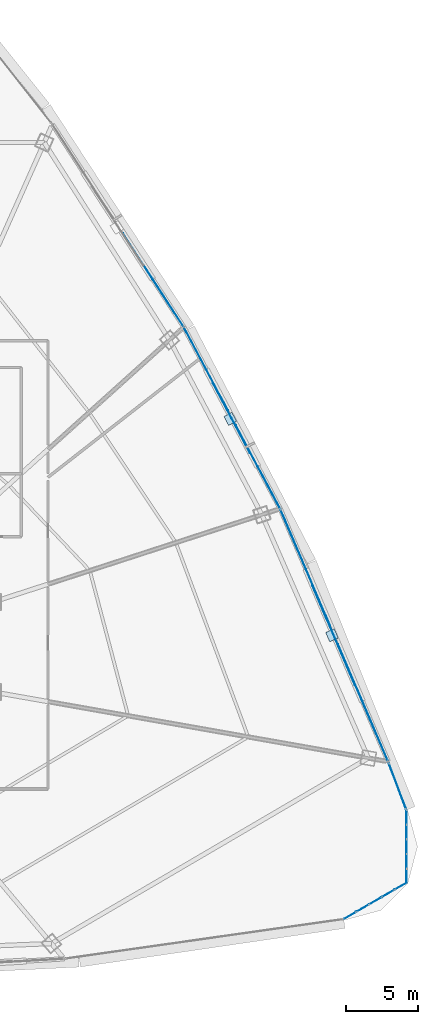
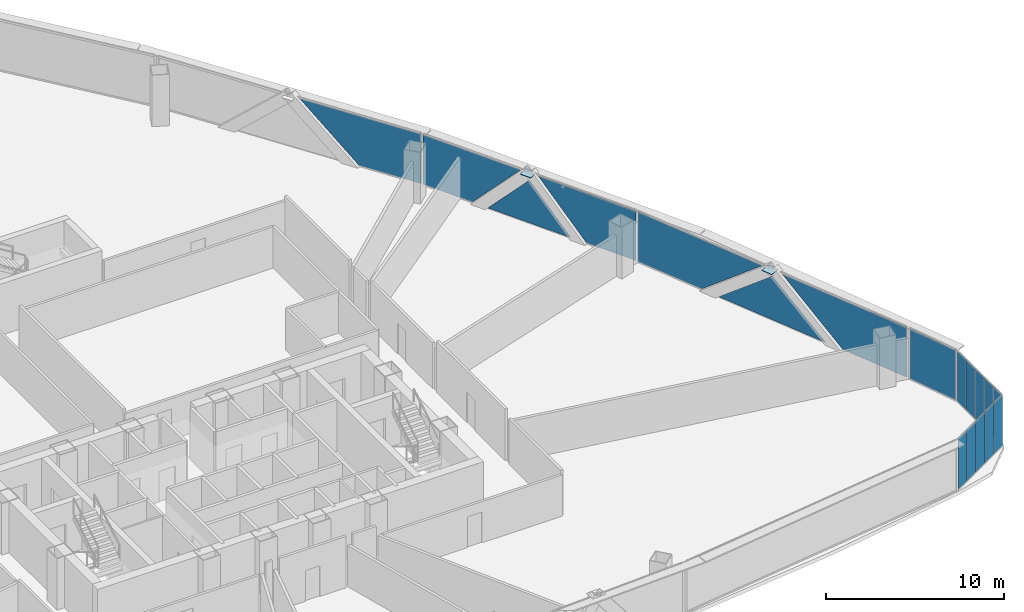
# One storey, part 32 of 41: 20 plates, 6 elements without a shape of their own.
"""IFC4 building model written with IfcOpenShell, lengths in metres."""

from ifc_helpers import new_model, si_unit, direction, frame, origin, origin_2d, place, context, subcontext, project, spatial, polyline, rectangle, outline, extrude, source, transform, mapped, material, layer, layer_set, type_object, element, aggregate, save


model = new_model("IFC4")

# Units and contexts
model_context = context("Model", 3, precision=1e-05, world=origin(), true_north=direction((0.0, 1.0)))
body_context = subcontext(model_context, "Body", "Model", "MODEL_VIEW")
ifc_project = project(units=[si_unit("LENGTHUNIT", "METRE"), si_unit("AREAUNIT", "SQUARE_METRE"), si_unit("VOLUMEUNIT", "CUBIC_METRE"), si_unit("PLANEANGLEUNIT", "RADIAN"), si_unit("MASSUNIT", "GRAM", prefix="KILO"), si_unit("THERMODYNAMICTEMPERATUREUNIT", "KELVIN"), si_unit("POWERUNIT", "WATT")], contexts=[model_context])

# Site, building, storey
site_placement = place(None, origin())
site = spatial("IfcSite", under=ifc_project, at=site_placement, CompositionType="ELEMENT")
building_placement = place(site_placement, origin())
building = spatial("IfcBuilding", under=site, at=building_placement, Name="Yunzhuo Pagoda Commons", CompositionType="ELEMENT")
storey_placement = place(building_placement, frame((0.0, 0.0, 115.3798828125)))
storey = spatial("IfcBuildingStorey", under=building, at=storey_placement, Name="L29", CompositionType="ELEMENT", Elevation=115.3798828125)

# Curtain wall, plates
ifc_material_1 = material(Name="Anodized aluminium 6063-T6", Category="aluminium")
ifc_layer_1 = layer(ifc_material_1, 0.1650390625)
ifc_layer_set_1 = layer_set([ifc_layer_1], Name="Anodized aluminium 6063-T6")
curtain_wall_type_1 = type_object("IfcCurtainWallType", Name="CW-LOW Low-Zone Ribbon Curtain Wall", PredefinedType="NOTDEFINED", material=ifc_layer_set_1)
curtain_wall_1_placement = place(storey_placement, origin())
curtain_wall_1 = element("IfcCurtainWall", 1, at=curtain_wall_1_placement, inside=storey, type_object=curtain_wall_type_1, Name="L29 curtain wall CW-L29-F2B2", PredefinedType="NOTDEFINED")
ifc_material_2 = material(Name="Tempered low-e double glazing", Category="glass")
ifc_layer_2 = layer(ifc_material_2, 0.028076171875)
ifc_layer_set_2 = layer_set([ifc_layer_2], Name="Tempered low-e double glazing")
plate_type_1 = type_object("IfcPlateType", Name="CW-LOW-P Low-E Double Glazing 28", PredefinedType="CURTAIN_PANEL", material=ifc_layer_set_2)
plate_1_placement = place(storey_placement, frame((85.9677734375, 30.775634765625, 1.760009765625), z_axis=(0.919648900825, 0.392741517046, 0.0), x_axis=(-0.392741517046, 0.919648900825, 0.0)))
plate_1 = element("IfcPlate", 2, at=plate_1_placement, type_object=plate_type_1, Name="CW panel 1.1 lite 1", PredefinedType="CURTAIN_PANEL", context=body_context, shape_type="SweptSolid", body=[
    extrude(outline(polyline([(-4.3779296875, -1.699951171875), (0.102294921875, -1.699951171875), (4.3779296875, 1.699951171875), (-4.3779296875, 1.699951171875), (-4.3779296875, -1.699951171875)])), origin(), (0.0, 0.0, 1.0), 0.028076171875),
])
plate_2_placement = place(storey_placement, frame((83.951416015625, 35.4208984375, 1.54736328125), z_axis=(0.919648900825, 0.392741517046, 0.0), x_axis=(-0.392741517046, 0.919648900825, 0.0)))
plate_2 = element("IfcPlate", 3, at=plate_2_placement, type_object=plate_type_1, Name="CW panel 1.1 lite 2", PredefinedType="CURTAIN_PANEL", context=body_context, shape_type="SweptSolid", body=[
    extrude(outline(polyline([(-3.740478515625, -1.4873046875), (3.740478515625, -1.4873046875), (0.0, 1.4873046875), (-3.740478515625, -1.4873046875)])), origin(), (0.0, 0.0, 1.0), 0.028076171875),
])
plate_3_placement = place(storey_placement, frame((81.990234375, 40.08984375, 1.760009765625), z_axis=(0.919648900825, 0.392741517046, 0.0), x_axis=(-0.392741517046, 0.919648900825, 0.0)))
plate_3 = element("IfcPlate", 4, at=plate_3_placement, type_object=plate_type_1, Name="CW panel 1.1 lite 3", PredefinedType="CURTAIN_PANEL", context=body_context, shape_type="SweptSolid", body=[
    extrude(outline(polyline([(-4.3779296875, 1.699951171875), (-0.102294921875, -1.699951171875), (4.3779296875, -1.699951171875), (4.3779296875, 1.699951171875), (-4.3779296875, 1.699951171875)])), origin(), (0.0, 0.0, 1.0), 0.028076171875),
])
aggregate(curtain_wall_1, [plate_1, plate_2, plate_3])

curtain_wall_2_placement = place(storey_placement, origin())
curtain_wall_2 = element("IfcCurtainWall", 5, at=curtain_wall_2_placement, inside=storey, type_object=curtain_wall_type_1, Name="L29 curtain wall CW-L29-F2B3", PredefinedType="NOTDEFINED")
plate_4_placement = place(storey_placement, frame((78.699462890625, 47.088623046875, 1.760009765625), z_axis=(0.88333303698, 0.468745928813, 0.0), x_axis=(-0.468745928813, 0.88333303698, 0.0)))
plate_4 = element("IfcPlate", 6, at=plate_4_placement, type_object=plate_type_1, Name="CW panel 1.1 lite 1", PredefinedType="CURTAIN_PANEL", context=body_context, shape_type="SweptSolid", body=[
    extrude(outline(polyline([(-3.23388671875, -1.699951171875), (0.035888671875, -1.699951171875), (3.23388671875, 1.699951171875), (-3.23388671875, 1.699951171875), (-3.23388671875, -1.699951171875)])), origin(), (0.0, 0.0, 1.0), 0.028076171875),
])
plate_5_placement = place(storey_placement, frame((76.88623046875, 50.441650390625, 1.5126953125), z_axis=(0.88333303698, 0.468745928813, 0.0), x_axis=(-0.468745928813, 0.88333303698, 0.0)))
plate_5 = element("IfcPlate", 7, at=plate_5_placement, type_object=plate_type_1, Name="CW panel 1.1 lite 2", PredefinedType="CURTAIN_PANEL", context=body_context, shape_type="SweptSolid", body=[
    extrude(outline(polyline([(-2.732666015625, -1.45263671875), (2.732666015625, -1.45263671875), (0.0, 1.45263671875), (-2.732666015625, -1.45263671875)])), origin(), (0.0, 0.0, 1.0), 0.028076171875),
])
plate_6_placement = place(storey_placement, frame((75.1259765625, 53.82275390625, 1.760009765625), z_axis=(0.88333303698, 0.468745928813, 0.0), x_axis=(-0.468745928813, 0.88333303698, 0.0)))
plate_6 = element("IfcPlate", 8, at=plate_6_placement, type_object=plate_type_1, Name="CW panel 1.1 lite 3", PredefinedType="CURTAIN_PANEL", context=body_context, shape_type="SweptSolid", body=[
    extrude(outline(polyline([(-3.23388671875, 1.699951171875), (-0.035888671875, -1.699951171875), (3.23388671875, -1.699951171875), (3.23388671875, 1.699951171875), (-3.23388671875, 1.699951171875)])), origin(), (0.0, 0.0, 1.0), 0.028076171875),
])
aggregate(curtain_wall_2, [plate_4, plate_5, plate_6])

# Curtain wall, plate
curtain_wall_3_placement = place(storey_placement, origin())
curtain_wall_3 = element("IfcCurtainWall", 9, at=curtain_wall_3_placement, inside=storey, type_object=curtain_wall_type_1, Name="L29 curtain wall CW-L29-F2B4", PredefinedType="NOTDEFINED")
plate_7_placement = place(storey_placement, frame((71.46240234375, 60.0029296875, 1.760009765625), z_axis=(0.839105842503, 0.543968183884, 0.0), x_axis=(-0.543968183884, 0.839105842503, 0.0)))
plate_7 = element("IfcPlate", 10, at=plate_7_placement, type_object=plate_type_1, Name="CW panel 1.1 lite 1", PredefinedType="CURTAIN_PANEL", context=body_context, shape_type="SweptSolid", body=[
    extrude(outline(polyline([(-3.82861328125, -1.699951171875), (0.0712890625, -1.699951171875), (3.82861328125, 1.699951171875), (-3.82861328125, 1.699951171875), (-3.82861328125, -1.699951171875)])), origin(), (0.0, 0.0, 1.0), 0.028076171875),
])
aggregate(curtain_wall_3, [plate_7])

# Plates
ifc_material_3 = material(Name="Structural steel Q355B", Category="steel")
ifc_layer_3 = layer(ifc_material_3, 0.028076171875)
ifc_layer_set_3 = layer_set([ifc_layer_3], Name="Structural steel Q355B")
plate_type_2 = type_object("IfcPlateType", Name="SP-ND1 Lattice Node Cap Plate 800x500x28", PredefinedType="USERDEFINED", material=ifc_layer_set_3)
shared_shape_1 = source(origin(), body_context, "Body", "SweptSolid", [
    extrude(rectangle(XDim=0.699951171875, YDim=0.654296875, at=origin_2d()), origin(), (0.0, 0.0, 1.0), 0.035888671875),
])
plate_8_placement = place(storey_placement, frame((83.840087890625, 35.431396484375, 3.48193359375), z_axis=(0.0, 0.0, 1.0), x_axis=(-0.392738427085, 0.919650220405, 0.0)))
element("IfcPlate", 11, at=plate_8_placement, inside=storey, type_object=plate_type_2, Name="L29 setback lattice tie plate F2.1L", ObjectType="STIFFENER_PLATE", PredefinedType="USERDEFINED", context=body_context, shape_type="MappedRepresentation", body=[
    mapped(shared_shape_1, transform((0.0, 0.0, 0.0), scale=1.0)),
])
shared_shape_2 = source(origin(), body_context, "Body", "SweptSolid", [
    extrude(rectangle(XDim=0.699951171875, YDim=0.6259765625, at=origin_2d()), origin(), (0.0, 0.0, 1.0), 0.035888671875),
])
plate_9_placement = place(storey_placement, frame((76.8056640625, 50.393310546875, 3.48193359375), z_axis=(0.0, 0.0, 1.0), x_axis=(-0.46874711881, 0.8833324055, 0.0)))
element("IfcPlate", 12, at=plate_9_placement, inside=storey, type_object=plate_type_2, Name="L29 setback lattice tie plate F2.2L", ObjectType="STIFFENER_PLATE", PredefinedType="USERDEFINED", context=body_context, shape_type="MappedRepresentation", body=[
    mapped(shared_shape_2, transform((0.0, 0.0, 0.0), scale=1.0)),
])

# Curtain wall, plate
curtain_wall_4_placement = place(storey_placement, origin())
curtain_wall_4 = element("IfcCurtainWall", 13, at=curtain_wall_4_placement, inside=storey, type_object=curtain_wall_type_1, Name="L29 curtain wall CW-L29-F2B1", PredefinedType="NOTDEFINED")
shared_shape_3 = source(origin(), body_context, "Body", "SweptSolid", [
    extrude(rectangle(XDim=3.3642578125, YDim=0.028076171875, at=origin_2d()), origin(), (0.0, 0.0, 1.0), 3.39990234375),
])
plate_10_placement = place(storey_placement, frame((88.3701171875, 24.99072265625, 0.06005859375), z_axis=(0.0, 0.0, 1.0), x_axis=(-0.353599796011, 0.935396805779, 0.0)))
plate_10 = element("IfcPlate", 14, at=plate_10_placement, type_object=plate_type_1, Name="CW panel 1.1", PredefinedType="CURTAIN_PANEL", context=body_context, shape_type="MappedRepresentation", body=[
    mapped(shared_shape_3, transform((0.0, 0.0, 0.0), scale=1.0)),
])
aggregate(curtain_wall_4, [plate_10])

# Curtain wall, plates
ifc_layer_4 = layer(ifc_material_1, 0.1298828125)
ifc_layer_set_4 = layer_set([ifc_layer_4], Name="Anodized aluminium 6063-T6")
curtain_wall_type_2 = type_object("IfcCurtainWallType", Name="CW-VTX Rounded Corner Curtain Wall", PredefinedType="NOTDEFINED", material=ifc_layer_set_4)
curtain_wall_5_placement = place(storey_placement, origin())
curtain_wall_5 = element("IfcCurtainWall", 15, at=curtain_wall_5_placement, inside=storey, type_object=curtain_wall_type_2, Name="L29 curtain wall CW-L29-VTX2S1", PredefinedType="NOTDEFINED")
ifc_layer_5 = layer(ifc_material_2, 0.02587890625)
ifc_layer_set_5 = layer_set([ifc_layer_5], Name="Tempered low-e double glazing")
plate_type_3 = type_object("IfcPlateType", Name="CW-VTX-P Low-E Double Glazing 26", PredefinedType="CURTAIN_PANEL", material=ifc_layer_set_5)
shared_shape_4 = source(origin(), body_context, "Body", "SweptSolid", [
    extrude(rectangle(XDim=0.934326171875, YDim=0.028076171875, at=origin_2d()), origin(), (0.0, 0.0, 1.0), 3.409912109375),
])
plate_11_placement = place(storey_placement, frame((85.097900390625, 16.05615234375, 0.05517578125), z_axis=(0.0, 0.0, 1.0), x_axis=(0.865428529789, 0.501032393989, 0.0)))
plate_11 = element("IfcPlate", 16, at=plate_11_placement, type_object=plate_type_3, Name="CW panel 1.1", PredefinedType="CURTAIN_PANEL", context=body_context, shape_type="MappedRepresentation", body=[
    mapped(shared_shape_4, transform((0.0, 0.0, 0.0), scale=1.0)),
])
plate_12_placement = place(storey_placement, frame((88.593994140625, 18.080322265625, 0.05517578125), z_axis=(0.0, 0.0, 1.0), x_axis=(0.865428529789, 0.501032393989, 0.0)))
plate_12 = element("IfcPlate", 17, at=plate_12_placement, type_object=plate_type_3, Name="CW panel 5.1", PredefinedType="CURTAIN_PANEL", context=body_context, shape_type="MappedRepresentation", body=[
    mapped(shared_shape_4, transform((0.0, 0.0, 0.0), scale=1.0)),
])

curtain_wall_6_placement = place(storey_placement, origin())
curtain_wall_6 = element("IfcCurtainWall", 18, at=curtain_wall_6_placement, inside=storey, type_object=curtain_wall_type_2, Name="L29 curtain wall CW-L29-VTX2S2", PredefinedType="NOTDEFINED")
plate_13_placement = place(storey_placement, frame((89.004150390625, 18.794677734375, 0.05517578125), z_axis=(0.0, 0.0, 1.0), x_axis=(-0.003599433805, 0.999993522017, 0.0)))
plate_13 = element("IfcPlate", 19, at=plate_13_placement, type_object=plate_type_3, Name="CW panel 1.1", PredefinedType="CURTAIN_PANEL", context=body_context, shape_type="MappedRepresentation", body=[
    mapped(shared_shape_4, transform((0.0, 0.0, 0.0), scale=1.0)),
])
plate_14_placement = place(storey_placement, frame((88.98974609375, 22.834228515625, 0.05517578125), z_axis=(0.0, 0.0, 1.0), x_axis=(-0.003599433805, 0.999993522017, 0.0)))
plate_14 = element("IfcPlate", 20, at=plate_14_placement, type_object=plate_type_3, Name="CW panel 5.1", PredefinedType="CURTAIN_PANEL", context=body_context, shape_type="MappedRepresentation", body=[
    mapped(shared_shape_4, transform((0.0, 0.0, 0.0), scale=1.0)),
])

# Plate
shared_shape_5 = source(origin(), body_context, "Body", "SweptSolid", [
    extrude(rectangle(XDim=0.9619140625, YDim=0.028076171875, at=origin_2d()), origin(), (0.0, 0.0, 1.0), 3.409912109375),
])
plate_15_placement = place(storey_placement, frame((85.9658203125, 16.558837890625, 0.05517578125), z_axis=(0.0, 0.0, 1.0), x_axis=(0.865428529789, 0.501032393989, 0.0)))
plate_15 = element("IfcPlate", 21, at=plate_15_placement, type_object=plate_type_3, Name="CW panel 2.1", PredefinedType="CURTAIN_PANEL", context=body_context, shape_type="MappedRepresentation", body=[
    mapped(shared_shape_5, transform((0.0, 0.0, 0.0), scale=1.0)),
])

plate_16_placement = place(storey_placement, frame((86.845947265625, 17.068115234375, 0.05517578125), z_axis=(0.0, 0.0, 1.0), x_axis=(0.865428529789, 0.501032393989, 0.0)))
plate_16 = element("IfcPlate", 22, at=plate_16_placement, type_object=plate_type_3, Name="CW panel 3.1", PredefinedType="CURTAIN_PANEL", context=body_context, shape_type="MappedRepresentation", body=[
    mapped(shared_shape_5, transform((0.0, 0.0, 0.0), scale=1.0)),
])

plate_17_placement = place(storey_placement, frame((87.72607421875, 17.57763671875, 0.05517578125), z_axis=(0.0, 0.0, 1.0), x_axis=(0.865428529789, 0.501032393989, 0.0)))
plate_17 = element("IfcPlate", 23, at=plate_17_placement, type_object=plate_type_3, Name="CW panel 4.1", PredefinedType="CURTAIN_PANEL", context=body_context, shape_type="MappedRepresentation", body=[
    mapped(shared_shape_5, transform((0.0, 0.0, 0.0), scale=1.0)),
])

aggregate(curtain_wall_5, [plate_11, plate_15, plate_16, plate_17, plate_12])

plate_18_placement = place(storey_placement, frame((89.00048828125, 19.797607421875, 0.05517578125), z_axis=(0.0, 0.0, 1.0), x_axis=(-0.003599433805, 0.999993522017, 0.0)))
plate_18 = element("IfcPlate", 24, at=plate_18_placement, type_object=plate_type_3, Name="CW panel 2.1", PredefinedType="CURTAIN_PANEL", context=body_context, shape_type="MappedRepresentation", body=[
    mapped(shared_shape_5, transform((0.0, 0.0, 0.0), scale=1.0)),
])

plate_19_placement = place(storey_placement, frame((88.9970703125, 20.814453125, 0.05517578125), z_axis=(0.0, 0.0, 1.0), x_axis=(-0.003599433805, 0.999993522017, 0.0)))
plate_19 = element("IfcPlate", 25, at=plate_19_placement, type_object=plate_type_3, Name="CW panel 3.1", PredefinedType="CURTAIN_PANEL", context=body_context, shape_type="MappedRepresentation", body=[
    mapped(shared_shape_5, transform((0.0, 0.0, 0.0), scale=1.0)),
])

plate_20_placement = place(storey_placement, frame((88.993408203125, 21.831298828125, 0.05517578125), z_axis=(0.0, 0.0, 1.0), x_axis=(-0.003599433805, 0.999993522017, 0.0)))
plate_20 = element("IfcPlate", 26, at=plate_20_placement, type_object=plate_type_3, Name="CW panel 4.1", PredefinedType="CURTAIN_PANEL", context=body_context, shape_type="MappedRepresentation", body=[
    mapped(shared_shape_5, transform((0.0, 0.0, 0.0), scale=1.0)),
])

aggregate(curtain_wall_6, [plate_13, plate_18, plate_19, plate_20, plate_14])

save(model, "model.ifc")
